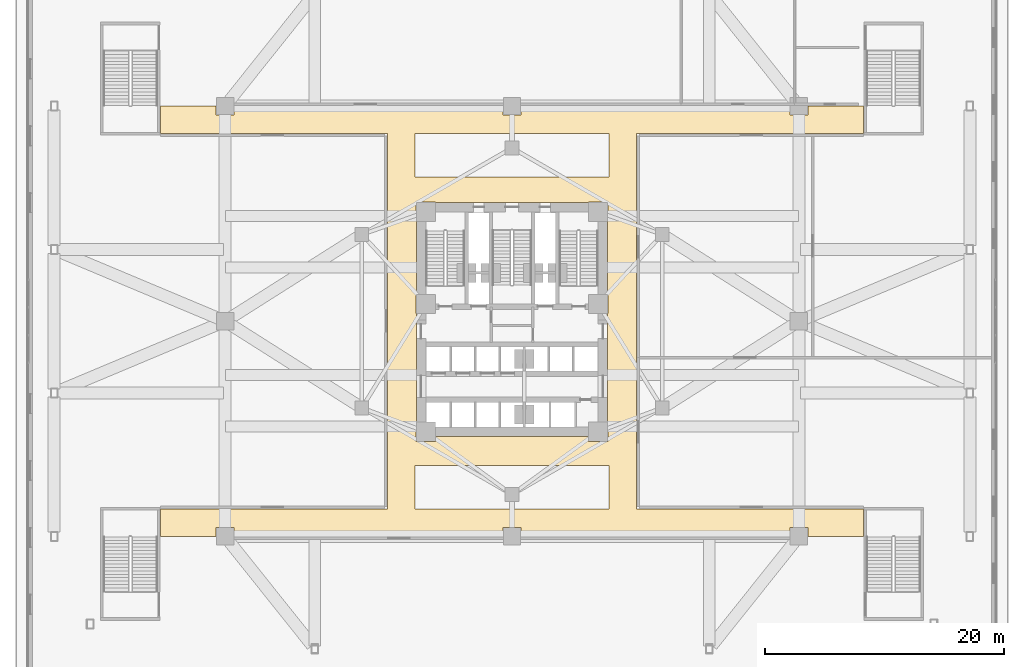
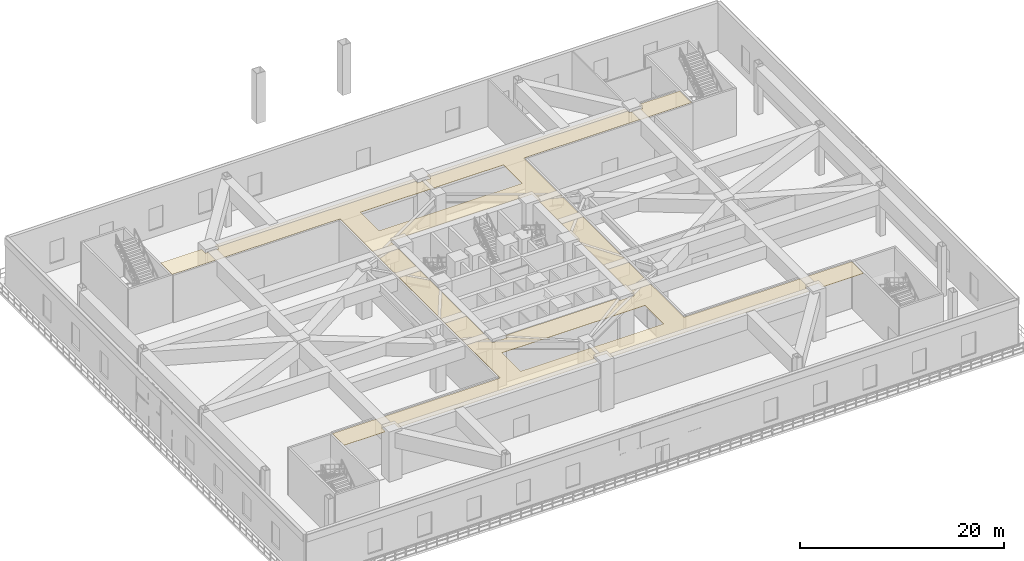
# One storey, part 19 of 25: 1 covering.
"""IFC4 building model written with IfcOpenShell, lengths in metres."""

from ifc_helpers import new_model, si_unit, direction, frame, origin, place, context, subcontext, project, spatial, polyline, outline, extrude, material, layer, layer_set, type_object, element, save


model = new_model("IFC4")

# Units and contexts
model_context = context("Model", 3, precision=1e-05, world=origin(), true_north=direction((0.0, 1.0)))
body_context = subcontext(model_context, "Body", "Model", "MODEL_VIEW")
ifc_project = project(units=[si_unit("LENGTHUNIT", "METRE"), si_unit("AREAUNIT", "SQUARE_METRE"), si_unit("VOLUMEUNIT", "CUBIC_METRE"), si_unit("PLANEANGLEUNIT", "RADIAN"), si_unit("MASSUNIT", "GRAM", prefix="KILO")], contexts=[model_context])

# Site, building, storey
site_placement = place(None, origin())
site = spatial("IfcSite", under=ifc_project, at=site_placement, CompositionType="ELEMENT")
building_placement = place(site_placement, origin())
building = spatial("IfcBuilding", under=site, at=building_placement, Name="Apsidion Concourse Tower", CompositionType="ELEMENT")
storey_placement = place(building_placement, frame((0.0, 0.0, 11.5)))
storey = spatial("IfcBuildingStorey", under=building, at=storey_placement, Name="L02", CompositionType="ELEMENT", Elevation=11.5)

# Covering
ifc_material = material(Name="Acoustic mineral fibre ceiling")
ifc_layer = layer(ifc_material, 0.0400390625)
ifc_layer_set = layer_set([ifc_layer], Name="Acoustic mineral fibre ceiling")
covering_type = type_object("IfcCoveringType", Name="COV-CEIL-40", PredefinedType="CEILING", material=ifc_layer_set)
covering_placement = place(storey_placement, frame((0.0, 0.0, 5.60009765625)))
element("IfcCovering", 1, at=covering_placement, inside=storey, type_object=covering_type, Name="L02 Acoustic Ceiling Grid 2", PredefinedType="CEILING", context=body_context, shape_type="SweptSolid", body=[
    extrude(outline(polyline([(8.10009765625, -18.0), (0.7451171875, -18.0), (0.7451171875, -17.27490234375), (0.744873046875, -17.27294921875), (0.74462890625, -17.27099609375), (0.744140625, -17.269287109375), (0.743408203125, -17.267333984375), (0.74267578125, -17.265625), (0.74169921875, -17.263916015625), (0.740478515625, -17.26220703125), (0.739013671875, -17.260986328125), (0.73779296875, -17.259521484375), (0.736083984375, -17.25830078125), (0.734375, -17.25732421875), (0.732666015625, -17.256591796875), (0.730712890625, -17.255859375), (0.72900390625, -17.25537109375), (0.72705078125, -17.255126953125), (0.72509765625, -17.2548828125), (-0.72509765625, -17.2548828125), (-0.72705078125, -17.255126953125), (-0.72900390625, -17.25537109375), (-0.730712890625, -17.255859375), (-0.732666015625, -17.256591796875), (-0.734375, -17.25732421875), (-0.736083984375, -17.25830078125), (-0.73779296875, -17.259521484375), (-0.739013671875, -17.260986328125), (-0.740478515625, -17.26220703125), (-0.74169921875, -17.263916015625), (-0.74267578125, -17.265625), (-0.743408203125, -17.267333984375), (-0.744140625, -17.269287109375), (-0.74462890625, -17.27099609375), (-0.744873046875, -17.27294921875), (-0.7451171875, -17.27490234375), (-0.7451171875, -18.0), (-8.10009765625, -18.0), (-10.39990234375, -18.0), (-23.2548828125, -18.0), (-23.2548828125, -17.27490234375), (-23.255126953125, -17.27294921875), (-23.25537109375, -17.27099609375), (-23.255859375, -17.269287109375), (-23.256591796875, -17.267333984375), (-23.25732421875, -17.265625), (-23.25830078125, -17.263916015625), (-23.259521484375, -17.26220703125), (-23.260986328125, -17.260986328125), (-23.26220703125, -17.259521484375), (-23.263916015625, -17.25830078125), (-23.265625, -17.25732421875), (-23.267333984375, -17.256591796875), (-23.269287109375, -17.255859375), (-23.27099609375, -17.25537109375), (-23.27294921875, -17.255126953125), (-23.27490234375, -17.2548828125), (-24.72509765625, -17.2548828125), (-24.72705078125, -17.255126953125), (-24.72900390625, -17.25537109375), (-24.730712890625, -17.255859375), (-24.732666015625, -17.256591796875), (-24.734375, -17.25732421875), (-24.736083984375, -17.25830078125), (-24.73779296875, -17.259521484375), (-24.739013671875, -17.260986328125), (-24.740478515625, -17.26220703125), (-24.74169921875, -17.263916015625), (-24.74267578125, -17.265625), (-24.743408203125, -17.267333984375), (-24.744140625, -17.269287109375), (-24.74462890625, -17.27099609375), (-24.744873046875, -17.27294921875), (-24.7451171875, -17.27490234375), (-24.7451171875, -18.0), (-29.39990234375, -18.0), (-29.39990234375, -15.699951171875), (-10.39990234375, -15.699951171875), (-10.39990234375, -12.050048828125), (-10.39990234375, 12.050048828125), (-10.39990234375, 15.699951171875), (-29.39990234375, 15.699951171875), (-29.39990234375, 18.0), (-24.7451171875, 18.0), (-24.7451171875, 17.27490234375), (-24.744873046875, 17.27294921875), (-24.74462890625, 17.27099609375), (-24.744140625, 17.269287109375), (-24.743408203125, 17.267333984375), (-24.74267578125, 17.265625), (-24.74169921875, 17.263916015625), (-24.740478515625, 17.26220703125), (-24.739013671875, 17.260986328125), (-24.73779296875, 17.259521484375), (-24.736083984375, 17.25830078125), (-24.734375, 17.25732421875), (-24.732666015625, 17.256591796875), (-24.730712890625, 17.255859375), (-24.72900390625, 17.25537109375), (-24.72705078125, 17.255126953125), (-24.72509765625, 17.2548828125), (-23.27490234375, 17.2548828125), (-23.27294921875, 17.255126953125), (-23.27099609375, 17.25537109375), (-23.269287109375, 17.255859375), (-23.267333984375, 17.256591796875), (-23.265625, 17.25732421875), (-23.263916015625, 17.25830078125), (-23.26220703125, 17.259521484375), (-23.260986328125, 17.260986328125), (-23.259521484375, 17.26220703125), (-23.25830078125, 17.263916015625), (-23.25732421875, 17.265625), (-23.256591796875, 17.267333984375), (-23.255859375, 17.269287109375), (-23.25537109375, 17.27099609375), (-23.255126953125, 17.27294921875), (-23.2548828125, 17.27490234375), (-23.2548828125, 18.0), (-10.39990234375, 18.0), (-8.10009765625, 18.0), (-0.7451171875, 18.0), (-0.7451171875, 17.27490234375), (-0.744873046875, 17.27294921875), (-0.74462890625, 17.27099609375), (-0.744140625, 17.269287109375), (-0.743408203125, 17.267333984375), (-0.74267578125, 17.265625), (-0.74169921875, 17.263916015625), (-0.740478515625, 17.26220703125), (-0.739013671875, 17.260986328125), (-0.73779296875, 17.259521484375), (-0.736083984375, 17.25830078125), (-0.734375, 17.25732421875), (-0.732666015625, 17.256591796875), (-0.730712890625, 17.255859375), (-0.72900390625, 17.25537109375), (-0.72705078125, 17.255126953125), (-0.72509765625, 17.2548828125), (0.72509765625, 17.2548828125), (0.72705078125, 17.255126953125), (0.72900390625, 17.25537109375), (0.730712890625, 17.255859375), (0.732666015625, 17.256591796875), (0.734375, 17.25732421875), (0.736083984375, 17.25830078125), (0.73779296875, 17.259521484375), (0.739013671875, 17.260986328125), (0.740478515625, 17.26220703125), (0.74169921875, 17.263916015625), (0.74267578125, 17.265625), (0.743408203125, 17.267333984375), (0.744140625, 17.269287109375), (0.74462890625, 17.27099609375), (0.744873046875, 17.27294921875), (0.7451171875, 17.27490234375), (0.7451171875, 18.0), (8.10009765625, 18.0), (10.39990234375, 18.0), (23.2548828125, 18.0), (23.2548828125, 17.27490234375), (23.255126953125, 17.27294921875), (23.25537109375, 17.27099609375), (23.255859375, 17.269287109375), (23.256591796875, 17.267333984375), (23.25732421875, 17.265625), (23.25830078125, 17.263916015625), (23.259521484375, 17.26220703125), (23.260986328125, 17.260986328125), (23.26220703125, 17.259521484375), (23.263916015625, 17.25830078125), (23.265625, 17.25732421875), (23.267333984375, 17.256591796875), (23.269287109375, 17.255859375), (23.27099609375, 17.25537109375), (23.27294921875, 17.255126953125), (23.27490234375, 17.2548828125), (24.72509765625, 17.2548828125), (24.72705078125, 17.255126953125), (24.72900390625, 17.25537109375), (24.730712890625, 17.255859375), (24.732666015625, 17.256591796875), (24.734375, 17.25732421875), (24.736083984375, 17.25830078125), (24.73779296875, 17.259521484375), (24.739013671875, 17.260986328125), (24.740478515625, 17.26220703125), (24.74169921875, 17.263916015625), (24.74267578125, 17.265625), (24.743408203125, 17.267333984375), (24.744140625, 17.269287109375), (24.74462890625, 17.27099609375), (24.744873046875, 17.27294921875), (24.7451171875, 17.27490234375), (24.7451171875, 18.0), (29.39990234375, 18.0), (29.39990234375, 15.699951171875), (10.39990234375, 15.699951171875), (10.39990234375, 12.050048828125), (10.39990234375, -12.050048828125), (10.39990234375, -15.699951171875), (29.39990234375, -15.699951171875), (29.39990234375, -18.0), (24.7451171875, -18.0), (24.7451171875, -17.27490234375), (24.744873046875, -17.27294921875), (24.74462890625, -17.27099609375), (24.744140625, -17.269287109375), (24.743408203125, -17.267333984375), (24.74267578125, -17.265625), (24.74169921875, -17.263916015625), (24.740478515625, -17.26220703125), (24.739013671875, -17.260986328125), (24.73779296875, -17.259521484375), (24.736083984375, -17.25830078125), (24.734375, -17.25732421875), (24.732666015625, -17.256591796875), (24.730712890625, -17.255859375), (24.72900390625, -17.25537109375), (24.72705078125, -17.255126953125), (24.72509765625, -17.2548828125), (23.27490234375, -17.2548828125), (23.27294921875, -17.255126953125), (23.27099609375, -17.25537109375), (23.269287109375, -17.255859375), (23.267333984375, -17.256591796875), (23.265625, -17.25732421875), (23.263916015625, -17.25830078125), (23.26220703125, -17.259521484375), (23.260986328125, -17.260986328125), (23.259521484375, -17.26220703125), (23.25830078125, -17.263916015625), (23.25732421875, -17.265625), (23.256591796875, -17.267333984375), (23.255859375, -17.269287109375), (23.25537109375, -17.27099609375), (23.255126953125, -17.27294921875), (23.2548828125, -17.27490234375), (23.2548828125, -18.0), (10.39990234375, -18.0), (8.10009765625, -18.0)]), holes=[polyline([(8.10009765625, -12.050048828125), (-8.10009765625, -12.050048828125), (-8.10009765625, -15.699951171875), (8.10009765625, -15.699951171875), (8.10009765625, -12.050048828125)]), polyline([(-8.10009765625, 15.699951171875), (-8.10009765625, 12.050048828125), (8.10009765625, 12.050048828125), (8.10009765625, 15.699951171875), (-8.10009765625, 15.699951171875)]), polyline([(6.3798828125, -9.64990234375), (6.3798828125, -10.050048828125), (6.380126953125, -10.052001953125), (6.38037109375, -10.053955078125), (6.380859375, -10.055908203125), (6.381591796875, -10.0576171875), (6.38232421875, -10.059326171875), (6.38330078125, -10.06103515625), (6.384521484375, -10.062744140625), (6.385986328125, -10.064208984375), (6.38720703125, -10.0654296875), (6.388916015625, -10.066650390625), (6.390625, -10.067626953125), (6.392333984375, -10.068603515625), (6.394287109375, -10.069091796875), (6.39599609375, -10.069580078125), (6.39794921875, -10.06982421875), (6.39990234375, -10.070068359375), (8.0, -10.070068359375), (8.001953125, -10.06982421875), (8.00390625, -10.069580078125), (8.005859375, -10.069091796875), (8.0078125, -10.068603515625), (8.009521484375, -10.067626953125), (8.010986328125, -10.066650390625), (8.0126953125, -10.0654296875), (8.01416015625, -10.064208984375), (8.015380859375, -10.062744140625), (8.0166015625, -10.06103515625), (8.017578125, -10.059326171875), (8.0185546875, -10.0576171875), (8.01904296875, -10.055908203125), (8.01953125, -10.053955078125), (8.02001953125, -10.052001953125), (8.02001953125, -10.050048828125), (8.02001953125, -8.449951171875), (8.02001953125, -8.447998046875), (8.01953125, -8.446044921875), (8.01904296875, -8.444091796875), (8.0185546875, -8.4423828125), (8.017578125, -8.440673828125), (8.0166015625, -8.43896484375), (8.015380859375, -8.437255859375), (8.01416015625, -8.435791015625), (8.0126953125, -8.4345703125), (8.010986328125, -8.433349609375), (8.009521484375, -8.432373046875), (8.0078125, -8.431396484375), (8.005859375, -8.430908203125), (8.00390625, -8.430419921875), (8.001953125, -8.43017578125), (8.0, -8.429931640625), (8.0, 0.6298828125), (8.001953125, 0.630126953125), (8.00390625, 0.63037109375), (8.005859375, 0.630859375), (8.0078125, 0.631591796875), (8.009521484375, 0.63232421875), (8.010986328125, 0.63330078125), (8.0126953125, 0.634521484375), (8.01416015625, 0.635986328125), (8.015380859375, 0.63720703125), (8.0166015625, 0.638916015625), (8.017578125, 0.640625), (8.0185546875, 0.642333984375), (8.01904296875, 0.644287109375), (8.01953125, 0.64599609375), (8.02001953125, 0.64794921875), (8.02001953125, 0.64990234375), (8.02001953125, 2.25), (8.02001953125, 2.251953125), (8.01953125, 2.25390625), (8.01904296875, 2.255859375), (8.0185546875, 2.2578125), (8.017578125, 2.259521484375), (8.0166015625, 2.260986328125), (8.015380859375, 2.2626953125), (8.01416015625, 2.26416015625), (8.0126953125, 2.265380859375), (8.010986328125, 2.2666015625), (8.009521484375, 2.267578125), (8.0078125, 2.2685546875), (8.005859375, 2.26904296875), (8.00390625, 2.26953125), (8.001953125, 2.27001953125), (8.0, 2.27001953125), (8.0, 8.330078125), (8.001953125, 8.330078125), (8.00390625, 8.330322265625), (8.005859375, 8.330810546875), (8.0078125, 8.33154296875), (8.009521484375, 8.33251953125), (8.010986328125, 8.33349609375), (8.0126953125, 8.33447265625), (8.01416015625, 8.3359375), (8.015380859375, 8.33740234375), (8.0166015625, 8.3388671875), (8.017578125, 8.340576171875), (8.0185546875, 8.34228515625), (8.01904296875, 8.34423828125), (8.01953125, 8.34619140625), (8.02001953125, 8.347900390625), (8.02001953125, 8.35009765625), (8.02001953125, 9.949951171875), (8.02001953125, 9.951904296875), (8.01953125, 9.953857421875), (8.01904296875, 9.955810546875), (8.0185546875, 9.957763671875), (8.017578125, 9.95947265625), (8.0166015625, 9.961181640625), (8.015380859375, 9.962646484375), (8.01416015625, 9.964111328125), (8.0126953125, 9.965576171875), (8.010986328125, 9.966552734375), (8.009521484375, 9.967529296875), (8.0078125, 9.968505859375), (8.005859375, 9.968994140625), (8.00390625, 9.969482421875), (8.001953125, 9.969970703125), (8.0, 9.969970703125), (6.39990234375, 9.969970703125), (6.39794921875, 9.969970703125), (6.39599609375, 9.969482421875), (6.394287109375, 9.968994140625), (6.392333984375, 9.968505859375), (6.390625, 9.967529296875), (6.388916015625, 9.966552734375), (6.38720703125, 9.965576171875), (6.385986328125, 9.964111328125), (6.384521484375, 9.962646484375), (6.38330078125, 9.961181640625), (6.38232421875, 9.95947265625), (6.381591796875, 9.957763671875), (6.380859375, 9.955810546875), (6.38037109375, 9.953857421875), (6.380126953125, 9.951904296875), (6.3798828125, 9.949951171875), (6.3798828125, 9.949951171875), (-6.3798828125, 9.949951171875), (-6.3798828125, 9.949951171875), (-6.380126953125, 9.951904296875), (-6.38037109375, 9.953857421875), (-6.380859375, 9.955810546875), (-6.381591796875, 9.957763671875), (-6.38232421875, 9.95947265625), (-6.38330078125, 9.961181640625), (-6.384521484375, 9.962646484375), (-6.385986328125, 9.964111328125), (-6.38720703125, 9.965576171875), (-6.388916015625, 9.966552734375), (-6.390625, 9.967529296875), (-6.392333984375, 9.968505859375), (-6.394287109375, 9.968994140625), (-6.39599609375, 9.969482421875), (-6.39794921875, 9.969970703125), (-6.39990234375, 9.969970703125), (-8.0, 9.969970703125), (-8.001953125, 9.969970703125), (-8.00390625, 9.969482421875), (-8.005859375, 9.968994140625), (-8.0078125, 9.968505859375), (-8.009521484375, 9.967529296875), (-8.010986328125, 9.966552734375), (-8.0126953125, 9.965576171875), (-8.01416015625, 9.964111328125), (-8.015380859375, 9.962646484375), (-8.0166015625, 9.961181640625), (-8.017578125, 9.95947265625), (-8.0185546875, 9.957763671875), (-8.01904296875, 9.955810546875), (-8.01953125, 9.953857421875), (-8.02001953125, 9.951904296875), (-8.02001953125, 9.949951171875), (-8.02001953125, 8.35009765625), (-8.02001953125, 8.347900390625), (-8.01953125, 8.34619140625), (-8.01904296875, 8.34423828125), (-8.0185546875, 8.34228515625), (-8.017578125, 8.340576171875), (-8.0166015625, 8.3388671875), (-8.015380859375, 8.33740234375), (-8.01416015625, 8.3359375), (-8.0126953125, 8.33447265625), (-8.010986328125, 8.33349609375), (-8.009521484375, 8.33251953125), (-8.0078125, 8.33154296875), (-8.005859375, 8.330810546875), (-8.00390625, 8.330322265625), (-8.001953125, 8.330078125), (-8.0, 8.330078125), (-8.0, 2.27001953125), (-8.001953125, 2.27001953125), (-8.00390625, 2.26953125), (-8.005859375, 2.26904296875), (-8.0078125, 2.2685546875), (-8.009521484375, 2.267578125), (-8.010986328125, 2.2666015625), (-8.0126953125, 2.265380859375), (-8.01416015625, 2.26416015625), (-8.015380859375, 2.2626953125), (-8.0166015625, 2.260986328125), (-8.017578125, 2.259521484375), (-8.0185546875, 2.2578125), (-8.01904296875, 2.255859375), (-8.01953125, 2.25390625), (-8.02001953125, 2.251953125), (-8.02001953125, 2.25), (-8.02001953125, 0.64990234375), (-8.02001953125, 0.64794921875), (-8.01953125, 0.64599609375), (-8.01904296875, 0.644287109375), (-8.0185546875, 0.642333984375), (-8.017578125, 0.640625), (-8.0166015625, 0.638916015625), (-8.015380859375, 0.63720703125), (-8.01416015625, 0.635986328125), (-8.0126953125, 0.634521484375), (-8.010986328125, 0.63330078125), (-8.009521484375, 0.63232421875), (-8.0078125, 0.631591796875), (-8.005859375, 0.630859375), (-8.00390625, 0.63037109375), (-8.001953125, 0.630126953125), (-8.0, 0.6298828125), (-8.0, -8.429931640625), (-8.001953125, -8.43017578125), (-8.00390625, -8.430419921875), (-8.005859375, -8.430908203125), (-8.0078125, -8.431396484375), (-8.009521484375, -8.432373046875), (-8.010986328125, -8.433349609375), (-8.0126953125, -8.4345703125), (-8.01416015625, -8.435791015625), (-8.015380859375, -8.437255859375), (-8.0166015625, -8.43896484375), (-8.017578125, -8.440673828125), (-8.0185546875, -8.4423828125), (-8.01904296875, -8.444091796875), (-8.01953125, -8.446044921875), (-8.02001953125, -8.447998046875), (-8.02001953125, -8.449951171875), (-8.02001953125, -10.050048828125), (-8.02001953125, -10.052001953125), (-8.01953125, -10.053955078125), (-8.01904296875, -10.055908203125), (-8.0185546875, -10.0576171875), (-8.017578125, -10.059326171875), (-8.0166015625, -10.06103515625), (-8.015380859375, -10.062744140625), (-8.01416015625, -10.064208984375), (-8.0126953125, -10.0654296875), (-8.010986328125, -10.066650390625), (-8.009521484375, -10.067626953125), (-8.0078125, -10.068603515625), (-8.005859375, -10.069091796875), (-8.00390625, -10.069580078125), (-8.001953125, -10.06982421875), (-8.0, -10.070068359375), (-6.39990234375, -10.070068359375), (-6.39794921875, -10.06982421875), (-6.39599609375, -10.069580078125), (-6.394287109375, -10.069091796875), (-6.392333984375, -10.068603515625), (-6.390625, -10.067626953125), (-6.388916015625, -10.066650390625), (-6.38720703125, -10.0654296875), (-6.385986328125, -10.064208984375), (-6.384521484375, -10.062744140625), (-6.38330078125, -10.06103515625), (-6.38232421875, -10.059326171875), (-6.381591796875, -10.0576171875), (-6.380859375, -10.055908203125), (-6.38037109375, -10.053955078125), (-6.380126953125, -10.052001953125), (-6.3798828125, -10.050048828125), (-6.3798828125, -9.64990234375), (6.3798828125, -9.64990234375)])]), origin(), (0.0, 0.0, 1.0), 0.039794921875),
])

save(model, "model.ifc")
